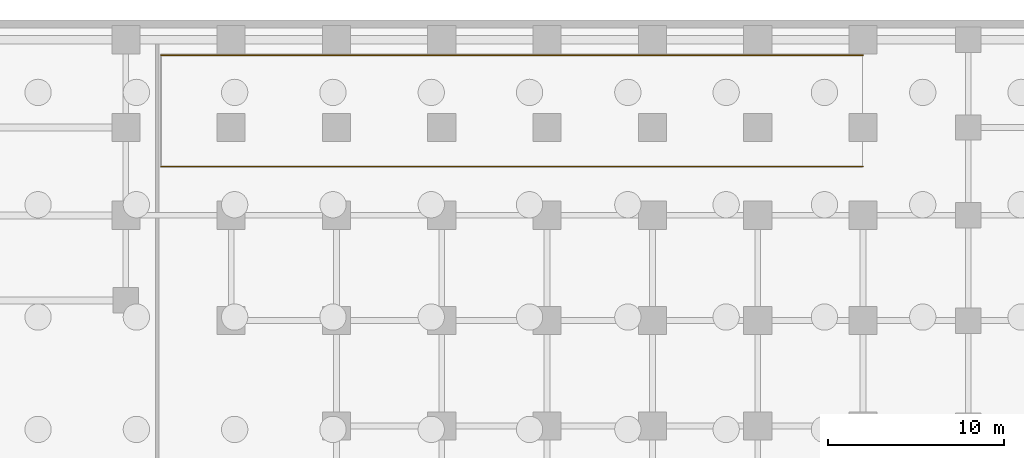
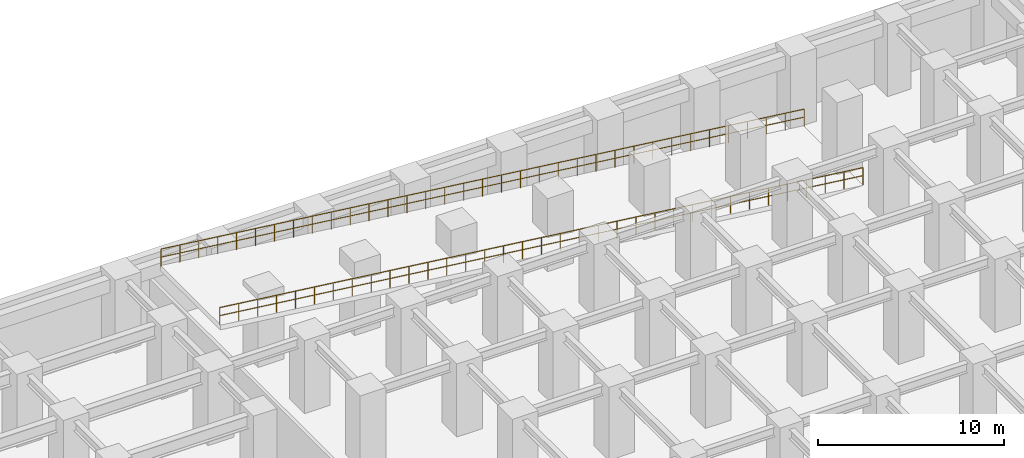
# One storey, part 10 of 11: 2 railings.
"""IFC4 building model written with IfcOpenShell, lengths in metres."""

from ifc_helpers import new_model, si_unit, direction, frame, origin, origin_2d, place, context, subcontext, project, spatial, circle, extrude, material, type_object, element, save


model = new_model("IFC4")

# Units and contexts
model_context = context("Model", 3, precision=1e-05, world=origin(), true_north=direction((0.0, 1.0)))
body_context = subcontext(model_context, "Body", "Model", "MODEL_VIEW")
ifc_project = project(units=[si_unit("LENGTHUNIT", "METRE"), si_unit("AREAUNIT", "SQUARE_METRE"), si_unit("VOLUMEUNIT", "CUBIC_METRE"), si_unit("PLANEANGLEUNIT", "RADIAN"), si_unit("MASSUNIT", "GRAM", prefix="KILO")], contexts=[model_context])

# Site, building, storey
site_placement = place(None, origin())
site = spatial("IfcSite", under=ifc_project, at=site_placement, CompositionType="ELEMENT")
building_placement = place(site_placement, origin())
building = spatial("IfcBuilding", under=site, at=building_placement, Name="Torre Montelarca", CompositionType="ELEMENT")
storey_placement = place(building_placement, frame((0.0, 0.0, -9.60009765625)))
storey = spatial("IfcBuildingStorey", under=building, at=storey_placement, Name="B2", CompositionType="ELEMENT", Elevation=-9.60009765625)

# Railings
ifc_material = material(Name="Stainless steel AISI 316 and laminated glass", Category="steel")
railing_type = type_object("IfcRailingType", Name="RL-INT-GUARD-1150", PredefinedType="BALUSTRADE", material=ifc_material)
railing_1_placement = place(storey_placement, frame((78.0, 54.780029296875, 0.0)))
element("IfcRailing", 1, at=railing_1_placement, inside=storey, type_object=railing_type, Name="B2 Vehicle Ramp R1 Sloped Side Guard S", PredefinedType="BALUSTRADE", context=body_context, shape_type="SweptSolid", body=[
    extrude(circle(Radius=0.02392578125, at=origin_2d()), frame((0.0, 0.0, 1.1259765625), z_axis=(-0.99287669511, 0.0, 0.119146415421), x_axis=(0.0, -1.0, 0.0)), (0.0, 0.0, 1.0), 40.286865234375),
    extrude(circle(Radius=0.02099609375, at=origin_2d()), frame((0.0, 0.0, 0.597900390625), z_axis=(-0.99287669511, 0.0, 0.119146415421), x_axis=(0.0, -1.0, 0.0)), (0.0, 0.0, 1.0), 40.286865234375),
    extrude(circle(Radius=0.02099609375, at=origin_2d()), origin(), (0.0, 0.0, 1.0), 1.101806640625),
    extrude(circle(Radius=0.02099609375, at=origin_2d()), frame((-1.176513671875, 0.0, 0.14111328125)), (0.0, 0.0, 1.0), 1.101806640625),
    extrude(circle(Radius=0.02099609375, at=origin_2d()), frame((-2.35302734375, 0.0, 0.282470703125)), (0.0, 0.0, 1.0), 1.101806640625),
    extrude(circle(Radius=0.02099609375, at=origin_2d()), frame((-3.529296875, 0.0, 0.423583984375)), (0.0, 0.0, 1.0), 1.101806640625),
    extrude(circle(Radius=0.02099609375, at=origin_2d()), frame((-4.705810546875, 0.0, 0.564697265625)), (0.0, 0.0, 1.0), 1.101806640625),
    extrude(circle(Radius=0.02099609375, at=origin_2d()), frame((-5.88232421875, 0.0, 0.705810546875)), (0.0, 0.0, 1.0), 1.101806640625),
    extrude(circle(Radius=0.02099609375, at=origin_2d()), frame((-7.058837890625, 0.0, 0.84716796875)), (0.0, 0.0, 1.0), 1.101806640625),
    extrude(circle(Radius=0.02099609375, at=origin_2d()), frame((-8.2353515625, 0.0, 0.98828125)), (0.0, 0.0, 1.0), 1.101806640625),
    extrude(circle(Radius=0.02099609375, at=origin_2d()), frame((-9.411865234375, 0.0, 1.12939453125)), (0.0, 0.0, 1.0), 1.101806640625),
    extrude(circle(Radius=0.02099609375, at=origin_2d()), frame((-10.588134765625, 0.0, 1.2705078125)), (0.0, 0.0, 1.0), 1.101806640625),
    extrude(circle(Radius=0.02099609375, at=origin_2d()), frame((-11.7646484375, 0.0, 1.411865234375)), (0.0, 0.0, 1.0), 1.101806640625),
    extrude(circle(Radius=0.02099609375, at=origin_2d()), frame((-12.941162109375, 0.0, 1.552978515625)), (0.0, 0.0, 1.0), 1.101806640625),
    extrude(circle(Radius=0.02099609375, at=origin_2d()), frame((-14.11767578125, 0.0, 1.694091796875)), (0.0, 0.0, 1.0), 1.101806640625),
    extrude(circle(Radius=0.02099609375, at=origin_2d()), frame((-15.294189453125, 0.0, 1.835205078125)), (0.0, 0.0, 1.0), 1.101806640625),
    extrude(circle(Radius=0.02099609375, at=origin_2d()), frame((-16.470703125, 0.0, 1.9765625)), (0.0, 0.0, 1.0), 1.101806640625),
    extrude(circle(Radius=0.02099609375, at=origin_2d()), frame((-17.64697265625, 0.0, 2.11767578125)), (0.0, 0.0, 1.0), 1.101806640625),
    extrude(circle(Radius=0.02099609375, at=origin_2d()), frame((-18.823486328125, 0.0, 2.2587890625)), (0.0, 0.0, 1.0), 1.101806640625),
    extrude(circle(Radius=0.02099609375, at=origin_2d()), frame((-20.0, 0.0, 2.39990234375)), (0.0, 0.0, 1.0), 1.101806640625),
    extrude(circle(Radius=0.02099609375, at=origin_2d()), frame((-21.176513671875, 0.0, 2.541259765625)), (0.0, 0.0, 1.0), 1.101806640625),
    extrude(circle(Radius=0.02099609375, at=origin_2d()), frame((-22.35302734375, 0.0, 2.682373046875)), (0.0, 0.0, 1.0), 1.101806640625),
    extrude(circle(Radius=0.02099609375, at=origin_2d()), frame((-23.529296875, 0.0, 2.823486328125)), (0.0, 0.0, 1.0), 1.101806640625),
    extrude(circle(Radius=0.02099609375, at=origin_2d()), frame((-24.705810546875, 0.0, 2.96484375)), (0.0, 0.0, 1.0), 1.101806640625),
    extrude(circle(Radius=0.02099609375, at=origin_2d()), frame((-25.88232421875, 0.0, 3.10595703125)), (0.0, 0.0, 1.0), 1.101806640625),
    extrude(circle(Radius=0.02099609375, at=origin_2d()), frame((-27.058837890625, 0.0, 3.2470703125)), (0.0, 0.0, 1.0), 1.101806640625),
    extrude(circle(Radius=0.02099609375, at=origin_2d()), frame((-28.2353515625, 0.0, 3.38818359375)), (0.0, 0.0, 1.0), 1.101806640625),
    extrude(circle(Radius=0.02099609375, at=origin_2d()), frame((-29.411865234375, 0.0, 3.529541015625)), (0.0, 0.0, 1.0), 1.101806640625),
    extrude(circle(Radius=0.02099609375, at=origin_2d()), frame((-30.588134765625, 0.0, 3.670654296875)), (0.0, 0.0, 1.0), 1.101806640625),
    extrude(circle(Radius=0.02099609375, at=origin_2d()), frame((-31.7646484375, 0.0, 3.811767578125)), (0.0, 0.0, 1.0), 1.101806640625),
    extrude(circle(Radius=0.02099609375, at=origin_2d()), frame((-32.941162109375, 0.0, 3.952880859375)), (0.0, 0.0, 1.0), 1.101806640625),
    extrude(circle(Radius=0.02099609375, at=origin_2d()), frame((-34.11767578125, 0.0, 4.09423828125)), (0.0, 0.0, 1.0), 1.101806640625),
    extrude(circle(Radius=0.02099609375, at=origin_2d()), frame((-35.294189453125, 0.0, 4.2353515625)), (0.0, 0.0, 1.0), 1.101806640625),
    extrude(circle(Radius=0.02099609375, at=origin_2d()), frame((-36.470703125, 0.0, 4.37646484375)), (0.0, 0.0, 1.0), 1.101806640625),
    extrude(circle(Radius=0.02099609375, at=origin_2d()), frame((-37.64697265625, 0.0, 4.517578125)), (0.0, 0.0, 1.0), 1.101806640625),
    extrude(circle(Radius=0.02099609375, at=origin_2d()), frame((-38.823486328125, 0.0, 4.658935546875)), (0.0, 0.0, 1.0), 1.101806640625),
    extrude(circle(Radius=0.02099609375, at=origin_2d()), frame((-40.0, 0.0, 4.800048828125)), (0.0, 0.0, 1.0), 1.101806640625),
])
railing_2_placement = place(storey_placement, frame((78.0, 61.1201171875, 0.0)))
element("IfcRailing", 2, at=railing_2_placement, inside=storey, type_object=railing_type, Name="B2 Vehicle Ramp R1 Sloped Side Guard N", PredefinedType="BALUSTRADE", context=body_context, shape_type="SweptSolid", body=[
    extrude(circle(Radius=0.02392578125, at=origin_2d()), frame((0.0, 0.0, 1.1259765625), z_axis=(-0.99287669511, 0.0, 0.119146415421), x_axis=(0.0, -1.0, 0.0)), (0.0, 0.0, 1.0), 40.286865234375),
    extrude(circle(Radius=0.02099609375, at=origin_2d()), frame((0.0, 0.0, 0.597900390625), z_axis=(-0.99287669511, 0.0, 0.119146415421), x_axis=(0.0, -1.0, 0.0)), (0.0, 0.0, 1.0), 40.286865234375),
    extrude(circle(Radius=0.02099609375, at=origin_2d()), origin(), (0.0, 0.0, 1.0), 1.101806640625),
    extrude(circle(Radius=0.02099609375, at=origin_2d()), frame((-1.176513671875, 0.0, 0.14111328125)), (0.0, 0.0, 1.0), 1.101806640625),
    extrude(circle(Radius=0.02099609375, at=origin_2d()), frame((-2.35302734375, 0.0, 0.282470703125)), (0.0, 0.0, 1.0), 1.101806640625),
    extrude(circle(Radius=0.02099609375, at=origin_2d()), frame((-3.529296875, 0.0, 0.423583984375)), (0.0, 0.0, 1.0), 1.101806640625),
    extrude(circle(Radius=0.02099609375, at=origin_2d()), frame((-4.705810546875, 0.0, 0.564697265625)), (0.0, 0.0, 1.0), 1.101806640625),
    extrude(circle(Radius=0.02099609375, at=origin_2d()), frame((-5.88232421875, 0.0, 0.705810546875)), (0.0, 0.0, 1.0), 1.101806640625),
    extrude(circle(Radius=0.02099609375, at=origin_2d()), frame((-7.058837890625, 0.0, 0.84716796875)), (0.0, 0.0, 1.0), 1.101806640625),
    extrude(circle(Radius=0.02099609375, at=origin_2d()), frame((-8.2353515625, 0.0, 0.98828125)), (0.0, 0.0, 1.0), 1.101806640625),
    extrude(circle(Radius=0.02099609375, at=origin_2d()), frame((-9.411865234375, 0.0, 1.12939453125)), (0.0, 0.0, 1.0), 1.101806640625),
    extrude(circle(Radius=0.02099609375, at=origin_2d()), frame((-10.588134765625, 0.0, 1.2705078125)), (0.0, 0.0, 1.0), 1.101806640625),
    extrude(circle(Radius=0.02099609375, at=origin_2d()), frame((-11.7646484375, 0.0, 1.411865234375)), (0.0, 0.0, 1.0), 1.101806640625),
    extrude(circle(Radius=0.02099609375, at=origin_2d()), frame((-12.941162109375, 0.0, 1.552978515625)), (0.0, 0.0, 1.0), 1.101806640625),
    extrude(circle(Radius=0.02099609375, at=origin_2d()), frame((-14.11767578125, 0.0, 1.694091796875)), (0.0, 0.0, 1.0), 1.101806640625),
    extrude(circle(Radius=0.02099609375, at=origin_2d()), frame((-15.294189453125, 0.0, 1.835205078125)), (0.0, 0.0, 1.0), 1.101806640625),
    extrude(circle(Radius=0.02099609375, at=origin_2d()), frame((-16.470703125, 0.0, 1.9765625)), (0.0, 0.0, 1.0), 1.101806640625),
    extrude(circle(Radius=0.02099609375, at=origin_2d()), frame((-17.64697265625, 0.0, 2.11767578125)), (0.0, 0.0, 1.0), 1.101806640625),
    extrude(circle(Radius=0.02099609375, at=origin_2d()), frame((-18.823486328125, 0.0, 2.2587890625)), (0.0, 0.0, 1.0), 1.101806640625),
    extrude(circle(Radius=0.02099609375, at=origin_2d()), frame((-20.0, 0.0, 2.39990234375)), (0.0, 0.0, 1.0), 1.101806640625),
    extrude(circle(Radius=0.02099609375, at=origin_2d()), frame((-21.176513671875, 0.0, 2.541259765625)), (0.0, 0.0, 1.0), 1.101806640625),
    extrude(circle(Radius=0.02099609375, at=origin_2d()), frame((-22.35302734375, 0.0, 2.682373046875)), (0.0, 0.0, 1.0), 1.101806640625),
    extrude(circle(Radius=0.02099609375, at=origin_2d()), frame((-23.529296875, 0.0, 2.823486328125)), (0.0, 0.0, 1.0), 1.101806640625),
    extrude(circle(Radius=0.02099609375, at=origin_2d()), frame((-24.705810546875, 0.0, 2.96484375)), (0.0, 0.0, 1.0), 1.101806640625),
    extrude(circle(Radius=0.02099609375, at=origin_2d()), frame((-25.88232421875, 0.0, 3.10595703125)), (0.0, 0.0, 1.0), 1.101806640625),
    extrude(circle(Radius=0.02099609375, at=origin_2d()), frame((-27.058837890625, 0.0, 3.2470703125)), (0.0, 0.0, 1.0), 1.101806640625),
    extrude(circle(Radius=0.02099609375, at=origin_2d()), frame((-28.2353515625, 0.0, 3.38818359375)), (0.0, 0.0, 1.0), 1.101806640625),
    extrude(circle(Radius=0.02099609375, at=origin_2d()), frame((-29.411865234375, 0.0, 3.529541015625)), (0.0, 0.0, 1.0), 1.101806640625),
    extrude(circle(Radius=0.02099609375, at=origin_2d()), frame((-30.588134765625, 0.0, 3.670654296875)), (0.0, 0.0, 1.0), 1.101806640625),
    extrude(circle(Radius=0.02099609375, at=origin_2d()), frame((-31.7646484375, 0.0, 3.811767578125)), (0.0, 0.0, 1.0), 1.101806640625),
    extrude(circle(Radius=0.02099609375, at=origin_2d()), frame((-32.941162109375, 0.0, 3.952880859375)), (0.0, 0.0, 1.0), 1.101806640625),
    extrude(circle(Radius=0.02099609375, at=origin_2d()), frame((-34.11767578125, 0.0, 4.09423828125)), (0.0, 0.0, 1.0), 1.101806640625),
    extrude(circle(Radius=0.02099609375, at=origin_2d()), frame((-35.294189453125, 0.0, 4.2353515625)), (0.0, 0.0, 1.0), 1.101806640625),
    extrude(circle(Radius=0.02099609375, at=origin_2d()), frame((-36.470703125, 0.0, 4.37646484375)), (0.0, 0.0, 1.0), 1.101806640625),
    extrude(circle(Radius=0.02099609375, at=origin_2d()), frame((-37.64697265625, 0.0, 4.517578125)), (0.0, 0.0, 1.0), 1.101806640625),
    extrude(circle(Radius=0.02099609375, at=origin_2d()), frame((-38.823486328125, 0.0, 4.658935546875)), (0.0, 0.0, 1.0), 1.101806640625),
    extrude(circle(Radius=0.02099609375, at=origin_2d()), frame((-40.0, 0.0, 4.800048828125)), (0.0, 0.0, 1.0), 1.101806640625),
])

save(model, "model.ifc")
